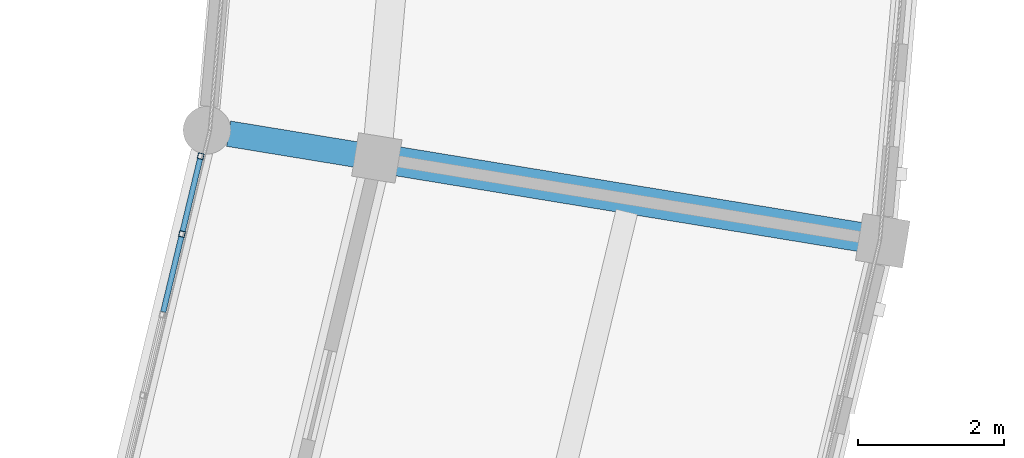
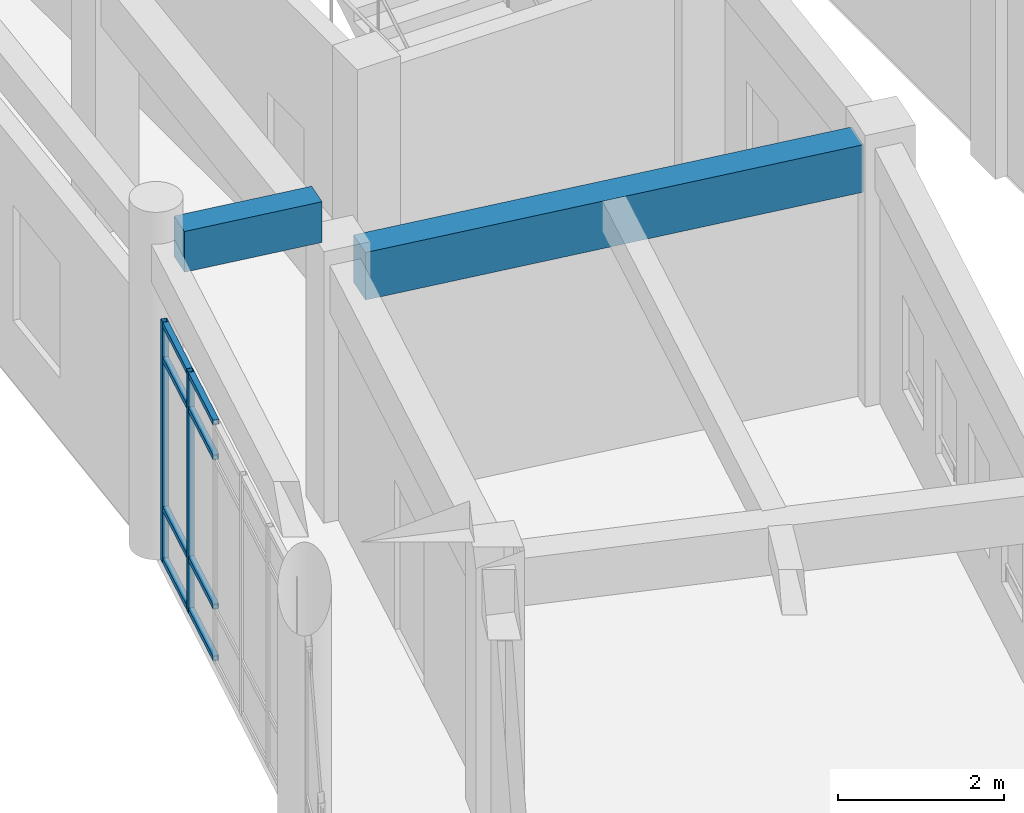
# One storey, part 85 of 159: 10 members, 2 beams, 1 element without a shape of its own.
"""IFC4 building model written with IfcOpenShell, lengths in metres."""

from ifc_helpers import new_model, si_unit, direction, frame, origin, origin_2d, place, context, subcontext, project, spatial, rectangle, hollow_rectangle, extrude, material, material_profile, profile_set, type_object, element, aggregate, save


model = new_model("IFC4")

# Units and contexts
model_context = context("Model", 3, precision=1e-05, world=origin(), true_north=direction((0.0, 1.0)))
body_context = subcontext(model_context, "Body", "Model", "MODEL_VIEW")
ifc_project = project(units=[si_unit("LENGTHUNIT", "METRE"), si_unit("AREAUNIT", "SQUARE_METRE"), si_unit("VOLUMEUNIT", "CUBIC_METRE"), si_unit("PLANEANGLEUNIT", "RADIAN"), si_unit("MASSUNIT", "GRAM", prefix="KILO")], contexts=[model_context])

# Site, building, storey
site_placement = place(None, origin())
site = spatial("IfcSite", under=ifc_project, at=site_placement, CompositionType="ELEMENT")
building_placement = place(site_placement, origin())
building = spatial("IfcBuilding", under=site, at=building_placement, Name="Celadon Cloister-Ring School", CompositionType="ELEMENT")
storey_placement = place(building_placement, frame((0.0, 0.0, 4.5)))
storey = spatial("IfcBuildingStorey", under=building, at=storey_placement, Name="L01", CompositionType="ELEMENT", Elevation=4.5)

# Beam
ifc_material_1 = material(Name="Concrete C35/45", Category="concrete")
ifc_material_profile_1 = material_profile(ifc_material_1, rectangle(XDim=0.35009765625, YDim=0.60009765625, at=origin_2d()), Name="RC350X600")
ifc_profile_set_1 = profile_set([ifc_material_profile_1], Name="Concrete C35/45")
beam_type_1 = type_object("IfcBeamType", Name="BT-02", PredefinedType="BEAM", material=ifc_profile_set_1)
beam_1_placement = place(storey_placement, frame((131.138916015625, 51.781005859375, 4.35009765625), z_axis=(-0.986836301375, 0.161722337015, 0.0), x_axis=(-0.161722337015, -0.986836301375, 0.0)))
element("IfcBeam", 1, at=beam_1_placement, inside=storey, type_object=beam_type_1, Name="Beam 0251", PredefinedType="BEAM", context=body_context, shape_type="SweptSolid", body=[
    extrude(rectangle(XDim=0.35009765625, YDim=0.60009765625, at=origin_2d()), origin(), (0.0, 0.0, 1.0), 1.775390625),
])

# Curtain wall, members
ifc_material_2 = material(Name="Aluminium EN AW-6063 T6", Category="aluminium")
curtain_wall_type = type_object("IfcCurtainWallType", Name="CW-01", PredefinedType="USERDEFINED", material=ifc_material_2)
curtain_wall_placement = place(storey_placement, origin())
curtain_wall = element("IfcCurtainWall", 2, at=curtain_wall_placement, inside=storey, type_object=curtain_wall_type, Name="Curtain Wall 0038", ObjectType="CURTAIN WALL", PredefinedType="USERDEFINED")
ifc_material_3 = material(Name="Aluminium EN AW-6063 T6", Category="aluminium")
ifc_material_profile_2 = material_profile(ifc_material_3, hollow_rectangle(XDim=0.080078125, YDim=0.080078125, WallThickness=0.00390625, at=origin_2d()), Name="RHS80X80X4")
ifc_profile_set_2 = profile_set([ifc_material_profile_2], Name="Aluminium EN AW-6063 T6")
member_type_1 = type_object("IfcMemberType", Name="CM-03", PredefinedType="MULLION", material=ifc_profile_set_2)
member_1_placement = place(storey_placement, frame((128.74951171875, 50.69775390625, 0.0), z_axis=(0.0, 0.0, 1.0), x_axis=(-0.972212485146, 0.234100157469, 0.0)))
member_1 = element("IfcMember", 3, at=member_1_placement, type_object=member_type_1, Name="CW-01 mullion 5", PredefinedType="MULLION", context=body_context, shape_type="SweptSolid", body=[
    extrude(hollow_rectangle(XDim=0.080078125, YDim=0.080078125, WallThickness=0.00390625, at=origin_2d()), origin(), (0.0, 0.0, 1.0), 3.550048828125),
])
member_2_placement = place(storey_placement, frame((129.005615234375, 51.76123046875, 0.0), z_axis=(0.0, 0.0, 1.0), x_axis=(-0.972212485146, 0.234100157469, 0.0)))
member_2 = element("IfcMember", 4, at=member_2_placement, type_object=member_type_1, Name="CW-01 mullion 6", PredefinedType="MULLION", context=body_context, shape_type="SweptSolid", body=[
    extrude(hollow_rectangle(XDim=0.080078125, YDim=0.080078125, WallThickness=0.00390625, at=origin_2d()), origin(), (0.0, 0.0, 1.0), 3.550048828125),
])
ifc_material_4 = material(Name="Aluminium EN AW-6063 T6", Category="aluminium")
ifc_material_profile_3 = material_profile(ifc_material_4, hollow_rectangle(XDim=0.074951171875, YDim=0.074951171875, WallThickness=0.00390625, at=origin_2d()), Name="RHS75X75X4")
ifc_profile_set_3 = profile_set([ifc_material_profile_3], Name="Aluminium EN AW-6063 T6")
member_type_2 = type_object("IfcMemberType", Name="CTM-03", PredefinedType="USERDEFINED", material=ifc_profile_set_3)
member_3_placement = place(storey_placement, frame((128.49365234375, 49.634521484375, 0.03759765625), z_axis=(0.234021392325, 0.972231447719, 0.0), x_axis=(-0.972231447719, 0.234021392325, 0.0)))
member_3 = element("IfcMember", 5, at=member_3_placement, type_object=member_type_2, Name="CW-01 transom 4.1", ObjectType="TRANSOM", PredefinedType="USERDEFINED", context=body_context, shape_type="SweptSolid", body=[
    extrude(hollow_rectangle(XDim=0.074951171875, YDim=0.074951171875, WallThickness=0.00390625, at=origin_2d()), origin(), (0.0, 0.0, 1.0), 1.0537109375),
])
member_4_placement = place(storey_placement, frame((128.49365234375, 49.634521484375, 0.800048828125), z_axis=(0.234021392325, 0.972231447719, 0.0), x_axis=(-0.972231447719, 0.234021392325, 0.0)))
member_4 = element("IfcMember", 6, at=member_4_placement, type_object=member_type_2, Name="CW-01 transom 4.2", ObjectType="TRANSOM", PredefinedType="USERDEFINED", context=body_context, shape_type="SweptSolid", body=[
    extrude(hollow_rectangle(XDim=0.074951171875, YDim=0.074951171875, WallThickness=0.00390625, at=origin_2d()), origin(), (0.0, 0.0, 1.0), 1.0537109375),
])
member_5_placement = place(storey_placement, frame((128.49365234375, 49.634521484375, 3.0), z_axis=(0.234021392325, 0.972231447719, 0.0), x_axis=(-0.972231447719, 0.234021392325, 0.0)))
member_5 = element("IfcMember", 7, at=member_5_placement, type_object=member_type_2, Name="CW-01 transom 4.3", ObjectType="TRANSOM", PredefinedType="USERDEFINED", context=body_context, shape_type="SweptSolid", body=[
    extrude(hollow_rectangle(XDim=0.074951171875, YDim=0.074951171875, WallThickness=0.00390625, at=origin_2d()), origin(), (0.0, 0.0, 1.0), 1.0537109375),
])
member_6_placement = place(storey_placement, frame((128.49365234375, 49.634521484375, 3.512451171875), z_axis=(0.234021392325, 0.972231447719, 0.0), x_axis=(-0.972231447719, 0.234021392325, 0.0)))
member_6 = element("IfcMember", 8, at=member_6_placement, type_object=member_type_2, Name="CW-01 transom 4.4", ObjectType="TRANSOM", PredefinedType="USERDEFINED", context=body_context, shape_type="SweptSolid", body=[
    extrude(hollow_rectangle(XDim=0.074951171875, YDim=0.074951171875, WallThickness=0.00390625, at=origin_2d()), origin(), (0.0, 0.0, 1.0), 1.0537109375),
])
member_7_placement = place(storey_placement, frame((128.759033203125, 50.736572265625, 0.03759765625), z_axis=(0.234083346543, 0.972216532914, 0.0), x_axis=(-0.972216532914, 0.234083346543, 0.0)))
member_7 = element("IfcMember", 9, at=member_7_placement, type_object=member_type_2, Name="CW-01 transom 5.1", ObjectType="TRANSOM", PredefinedType="USERDEFINED", context=body_context, shape_type="SweptSolid", body=[
    extrude(hollow_rectangle(XDim=0.074951171875, YDim=0.074951171875, WallThickness=0.00390625, at=origin_2d()), origin(), (0.0, 0.0, 1.0), 1.013671875),
])
member_8_placement = place(storey_placement, frame((128.759033203125, 50.736572265625, 0.800048828125), z_axis=(0.234083346543, 0.972216532914, 0.0), x_axis=(-0.972216532914, 0.234083346543, 0.0)))
member_8 = element("IfcMember", 10, at=member_8_placement, type_object=member_type_2, Name="CW-01 transom 5.2", ObjectType="TRANSOM", PredefinedType="USERDEFINED", context=body_context, shape_type="SweptSolid", body=[
    extrude(hollow_rectangle(XDim=0.074951171875, YDim=0.074951171875, WallThickness=0.00390625, at=origin_2d()), origin(), (0.0, 0.0, 1.0), 1.013671875),
])
member_9_placement = place(storey_placement, frame((128.759033203125, 50.736572265625, 3.0), z_axis=(0.234083346543, 0.972216532914, 0.0), x_axis=(-0.972216532914, 0.234083346543, 0.0)))
member_9 = element("IfcMember", 11, at=member_9_placement, type_object=member_type_2, Name="CW-01 transom 5.3", ObjectType="TRANSOM", PredefinedType="USERDEFINED", context=body_context, shape_type="SweptSolid", body=[
    extrude(hollow_rectangle(XDim=0.074951171875, YDim=0.074951171875, WallThickness=0.00390625, at=origin_2d()), origin(), (0.0, 0.0, 1.0), 1.013671875),
])
member_10_placement = place(storey_placement, frame((128.759033203125, 50.736572265625, 3.512451171875), z_axis=(0.234083346543, 0.972216532914, 0.0), x_axis=(-0.972216532914, 0.234083346543, 0.0)))
member_10 = element("IfcMember", 12, at=member_10_placement, type_object=member_type_2, Name="CW-01 transom 5.4", ObjectType="TRANSOM", PredefinedType="USERDEFINED", context=body_context, shape_type="SweptSolid", body=[
    extrude(hollow_rectangle(XDim=0.074951171875, YDim=0.074951171875, WallThickness=0.00390625, at=origin_2d()), origin(), (0.0, 0.0, 1.0), 1.013671875),
])
aggregate(curtain_wall, [member_1, member_2, member_3, member_4, member_5, member_6, member_7, member_8, member_9, member_10])

# Beam
ifc_material_5 = material(Name="Concrete C35/45", Category="concrete")
ifc_material_profile_4 = material_profile(ifc_material_5, rectangle(XDim=0.39990234375, YDim=0.699951171875, at=origin_2d()), Name="RC400X700")
ifc_profile_set_4 = profile_set([ifc_material_profile_4], Name="Concrete C35/45")
beam_type_2 = type_object("IfcBeamType", Name="GT-03", PredefinedType="USERDEFINED", material=ifc_profile_set_4)
beam_2_placement = place(storey_placement, frame((138.02197265625, 50.655029296875, 3.429931640625), z_axis=(-0.986863240462, 0.161557867726, 0.0), x_axis=(-0.161557867726, -0.986863240462, 0.0)))
element("IfcBeam", 13, at=beam_2_placement, inside=storey, type_object=beam_type_2, Name="Beam 0250", ObjectType="GIRDER", PredefinedType="USERDEFINED", context=body_context, shape_type="SweptSolid", body=[
    extrude(rectangle(XDim=0.39990234375, YDim=0.699951171875, at=origin_2d()), origin(), (0.0, 0.0, 1.0), 6.425537109375),
])

save(model, "model.ifc")
